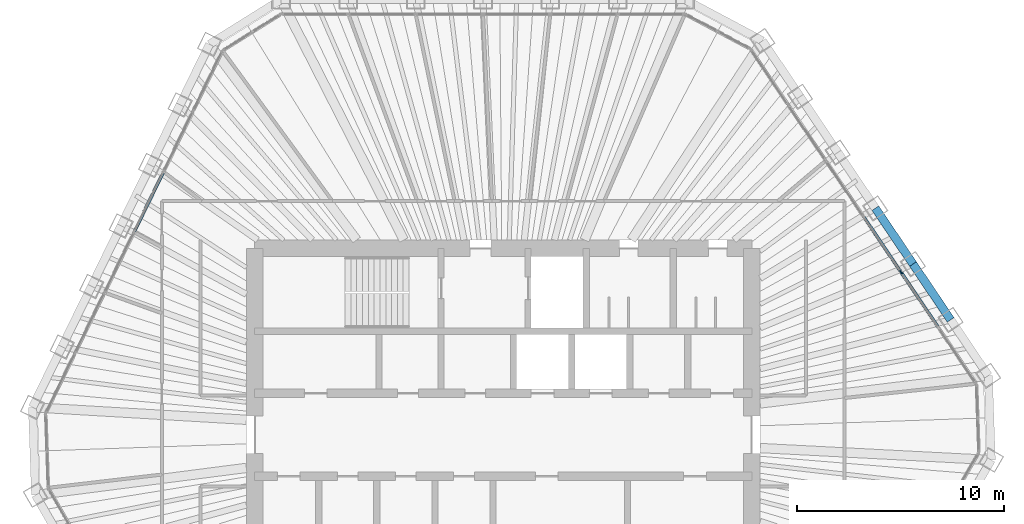
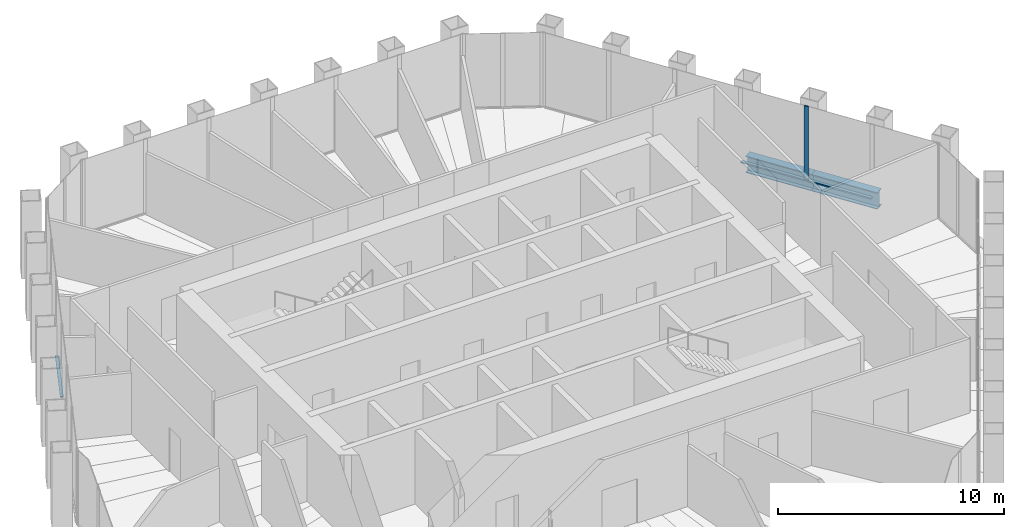
# One storey, part 6 of 14: 4 members, 2 beams, 2 elements without a shape of their own.
"""IFC4 building model written with IfcOpenShell, lengths in metres."""

from ifc_helpers import new_model, si_unit, direction, frame, origin, origin_2d, place, context, subcontext, project, spatial, rectangle, i_section, extrude, material, material_profile, profile_set, type_object, element, aggregate, save


model = new_model("IFC4")

# Units and contexts
model_context = context("Model", 3, precision=1e-05, world=origin(), true_north=direction((0.0, 1.0)))
body_context = subcontext(model_context, "Body", "Model", "MODEL_VIEW")
ifc_project = project(units=[si_unit("LENGTHUNIT", "METRE"), si_unit("AREAUNIT", "SQUARE_METRE"), si_unit("VOLUMEUNIT", "CUBIC_METRE"), si_unit("PLANEANGLEUNIT", "RADIAN"), si_unit("MASSUNIT", "GRAM", prefix="KILO")], contexts=[model_context])

# Site, building, storey
site_placement = place(None, origin())
site = spatial("IfcSite", under=ifc_project, at=site_placement, CompositionType="ELEMENT")
building_placement = place(site_placement, origin())
building = spatial("IfcBuilding", under=site, at=building_placement, Name="Qingtian Harvest Tower", CompositionType="ELEMENT")
storey_placement = place(building_placement, frame((0.0, 0.0, 316.60009765625)))
storey = spatial("IfcBuildingStorey", under=building, at=storey_placement, Name="L70", CompositionType="ELEMENT", Elevation=316.60009765625)

# Curtain wall, member
ifc_material_1 = material(Name="Bronze-anodised aluminium curtain wall", Category="aluminium")
curtain_wall_type = type_object("IfcCurtainWallType", Name="Curtain wall CW5 upper office", PredefinedType="USERDEFINED", material=ifc_material_1)
curtain_wall_1_placement = place(storey_placement, origin())
curtain_wall_1 = element("IfcCurtainWall", 1, at=curtain_wall_1_placement, inside=storey, type_object=curtain_wall_type, Name="Curtain wall CW5 L70 NE0-5", ObjectType="RECESSED CURTAIN WALL", PredefinedType="USERDEFINED")
ifc_material_2 = material(Name="Bronze-anodised aluminium mullion", Category="aluminium")
ifc_material_profile_1 = material_profile(ifc_material_2, rectangle(XDim=0.06494140625, YDim=0.199951171875, at=origin_2d()), Name="AL 65x200")
ifc_profile_set_1 = profile_set([ifc_material_profile_1], Name="Bronze-anodised aluminium mullion")
member_type_1 = type_object("IfcMemberType", Name="Mullion CWM 65x200", PredefinedType="MULLION", material=ifc_profile_set_1)
member_1_placement = place(storey_placement, frame((19.192626953125, 7.847900390625, 0.0), z_axis=(0.0, 0.0, 1.0), x_axis=(0.829037572555, 0.559192903471, 0.0)))
member_1 = element("IfcMember", 2, at=member_1_placement, type_object=member_type_1, Name="CW5 mullion 5", PredefinedType="MULLION", context=body_context, shape_type="SweptSolid", body=[
    extrude(rectangle(XDim=0.06494140625, YDim=0.199951171875, at=origin_2d()), origin(), (0.0, 0.0, 1.0), 4.02978515625),
])

# Beams
ifc_material_3 = material(Name="Steel SN490B", Category="steel")
ifc_material_profile_2 = material_profile(ifc_material_3, i_section(OverallWidth=0.39990234375, OverallDepth=0.89990234375, WebThickness=0.01904296875, FlangeThickness=0.035888671875, at=origin_2d()), Name="H900x400x19x36")
ifc_profile_set_2 = profile_set([ifc_material_profile_2], Name="Steel SN490B")
beam_type = type_object("IfcBeamType", Name="Spandrel beam SB4 H900x400x19x36", PredefinedType="SPANDREL", material=ifc_profile_set_2)
for number, where, z_axis, x_axis, name in (
    (3, (17.956787109375, 10.93212890625, -0.4501953125), (0.55915007887, -0.829066456504, 0.0), (0.829066456504, 0.55915007887, 0.0), "Spandrel SB4 NE3"),
    (4, (19.77294921875, 8.2392578125, -0.4501953125), (0.5592365864, -0.829008106372, 0.0), (0.829008106372, 0.5592365864, 0.0), "Spandrel SB4 NE4"),
):
    element("IfcBeam", number, at=place(storey_placement, frame(where, z_axis=z_axis, x_axis=x_axis)), inside=storey, type_object=beam_type, Name=name, PredefinedType="SPANDREL", context=body_context, shape_type="SweptSolid", body=[
        extrude(i_section(OverallWidth=0.39990234375, OverallDepth=0.89990234375, WebThickness=0.01904296875, FlangeThickness=0.035888671875, at=origin_2d()), origin(), (0.0, 0.0, 1.0), 3.248046875),
    ])

# Member
ifc_material_4 = material(Name="Bronze-anodised aluminium transom", Category="aluminium")
ifc_material_profile_3 = material_profile(ifc_material_4, rectangle(XDim=0.14990234375, YDim=0.06494140625, at=origin_2d()), Name="AL 65x150")
ifc_profile_set_3 = profile_set([ifc_material_profile_3], Name="Bronze-anodised aluminium transom")
member_type_2 = type_object("IfcMemberType", Name="Transom CWT 65x150", PredefinedType="USERDEFINED", material=ifc_profile_set_3)
member_2_placement = place(storey_placement, frame((17.39453125, 10.513671875, 0.032470703125), z_axis=(0.55920542009, -0.829029129852, 0.0), x_axis=(0.829029129852, 0.55920542009, 0.0)))
member_2 = element("IfcMember", 5, at=member_2_placement, type_object=member_type_2, Name="CW5 transom 4.1", ObjectType="TRANSOM", PredefinedType="USERDEFINED", context=body_context, shape_type="SweptSolid", body=[
    extrude(rectangle(XDim=0.14990234375, YDim=0.06494140625, at=origin_2d()), origin(), (0.0, 0.0, 1.0), 3.18310546875),
])

member_3_placement = place(storey_placement, frame((19.2109375, 7.821044921875, 0.032470703125), z_axis=(0.559152702955, -0.829064686727, 0.0), x_axis=(0.829064686727, 0.559152702955, 0.0)))
member_3 = element("IfcMember", 6, at=member_3_placement, type_object=member_type_2, Name="CW5 transom 5.1", ObjectType="TRANSOM", PredefinedType="USERDEFINED", context=body_context, shape_type="SweptSolid", body=[
    extrude(rectangle(XDim=0.14990234375, YDim=0.06494140625, at=origin_2d()), origin(), (0.0, 0.0, 1.0), 3.18310546875),
])

aggregate(curtain_wall_1, [member_1, member_2, member_3])

# Curtain wall, member
curtain_wall_2_placement = place(storey_placement, origin())
curtain_wall_2 = element("IfcCurtainWall", 7, at=curtain_wall_2_placement, inside=storey, type_object=curtain_wall_type, Name="Curtain wall CW5 L70 NW0-5", ObjectType="RECESSED CURTAIN WALL", PredefinedType="USERDEFINED")
member_4_placement = place(storey_placement, frame((-17.802490234375, 9.807373046875, 0.032470703125), z_axis=(0.438355626738, 0.898801615768, 0.0), x_axis=(-0.898801615768, 0.438355626738, 0.0)))
member_4 = element("IfcMember", 8, at=member_4_placement, type_object=member_type_2, Name="CW5 transom 4.1", ObjectType="TRANSOM", PredefinedType="USERDEFINED", context=body_context, shape_type="SweptSolid", body=[
    extrude(rectangle(XDim=0.14990234375, YDim=0.06494140625, at=origin_2d()), origin(), (0.0, 0.0, 1.0), 3.182861328125),
])
aggregate(curtain_wall_2, [member_4])

save(model, "model.ifc")
